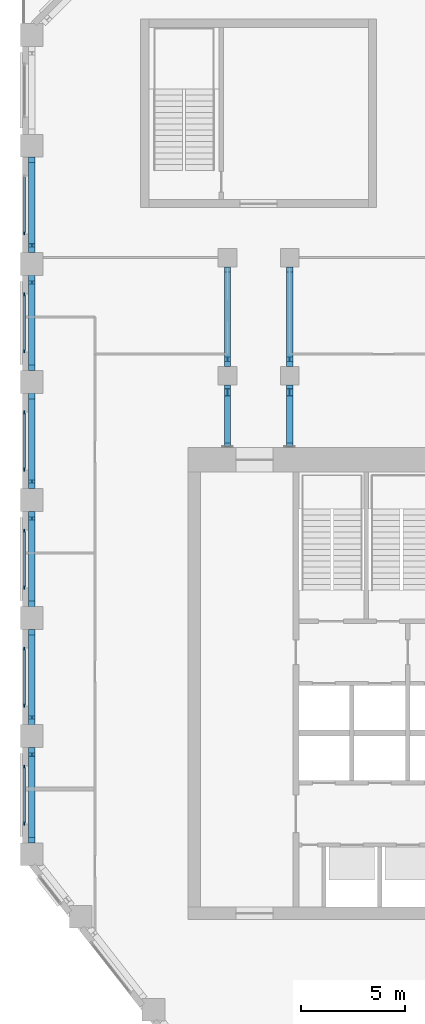
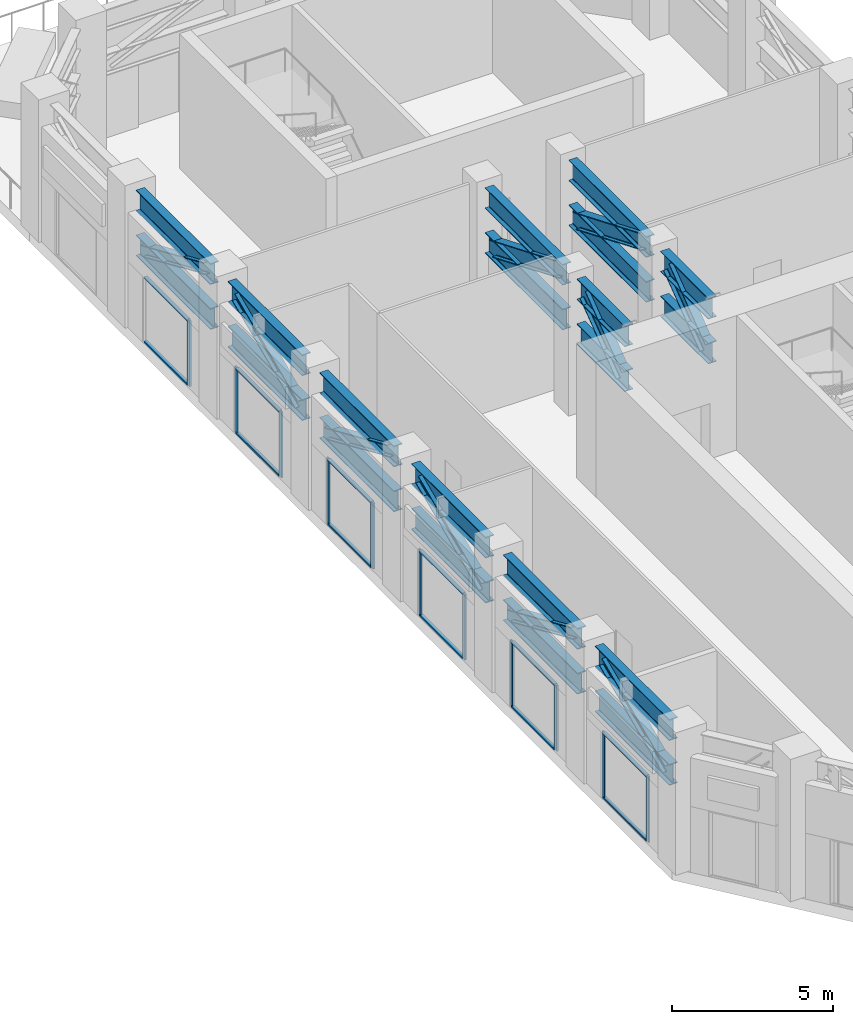
# One storey, part 6 of 21: 33 members, 20 beams, 6 elements without a shape of their own.
"""IFC4 building model written with IfcOpenShell, lengths in metres."""

from ifc_helpers import new_model, si_unit, direction, frame, origin, origin_2d, place, context, subcontext, project, spatial, rectangle, i_section, extrude, material, material_profile, profile_set, type_object, element, aggregate, save


model = new_model("IFC4")

# Units and contexts
model_context = context("Model", 3, precision=1e-05, world=origin(), true_north=direction((0.0, 1.0)))
body_context = subcontext(model_context, "Body", "Model", "MODEL_VIEW")
ifc_project = project(units=[si_unit("LENGTHUNIT", "METRE"), si_unit("AREAUNIT", "SQUARE_METRE"), si_unit("VOLUMEUNIT", "CUBIC_METRE"), si_unit("PLANEANGLEUNIT", "RADIAN"), si_unit("MASSUNIT", "GRAM", prefix="KILO")], contexts=[model_context])

# Site, building, storey
site_placement = place(None, origin())
site = spatial("IfcSite", under=ifc_project, at=site_placement, CompositionType="ELEMENT")
building_placement = place(site_placement, origin())
building = spatial("IfcBuilding", under=site, at=building_placement, Name="Meshkara Civic Tower", CompositionType="ELEMENT")
storey_placement = place(building_placement, frame((0.0, 0.0, 284.39990234375)))
storey = spatial("IfcBuildingStorey", under=building, at=storey_placement, Name="L65", CompositionType="ELEMENT", Elevation=284.39990234375)

# Beams
ifc_material_1 = material(Name="Steel S355", Category="steel")
ifc_material_profile_1 = material_profile(ifc_material_1, i_section(OverallWidth=0.300048828125, OverallDepth=0.800048828125, WebThickness=0.017578125, FlangeThickness=0.032958984375, FilletRadius=0.030029296875, at=origin_2d()))
ifc_profile_set_1 = profile_set([ifc_material_profile_1], Name="Steel S355")
beam_type_1 = type_object("IfcBeamType", Name="Belt truss chord HEB 800 S355", PredefinedType="BEAM", material=ifc_profile_set_1)
for number, where, z_axis, x_axis, name in (
    (1, (0.449951171875, 50.909912109375, 4.7001953125), (0.0, -1.0, 0.0), (1.0, 0.0, 0.0), "Belt truss chord BAW06-AW05"),
    (2, (0.449951171875, 50.909912109375, 3.0), (0.0, -1.0, 0.0), (1.0, 0.0, 0.0), "Belt truss chord BAW06-AW05"),
    (3, (0.449951171875, 45.2099609375, 4.7001953125), (0.0, -1.0, 0.0), (1.0, 0.0, 0.0), "Belt truss chord BAW05-AW04"),
    (4, (0.449951171875, 45.2099609375, 3.0), (0.0, -1.0, 0.0), (1.0, 0.0, 0.0), "Belt truss chord BAW05-AW04"),
):
    element("IfcBeam", number, at=place(storey_placement, frame(where, z_axis=z_axis, x_axis=x_axis)), inside=storey, type_object=beam_type_1, Name=name, PredefinedType="BEAM", context=body_context, shape_type="SweptSolid", body=[
        extrude(i_section(OverallWidth=0.300048828125, OverallDepth=0.800048828125, WebThickness=0.017578125, FlangeThickness=0.032958984375, FilletRadius=0.030029296875, at=origin_2d()), origin(), (0.0, 0.0, 1.0), 4.60986328125),
    ])
for number, where, z_axis, x_axis, name in (
    (5, (0.449951171875, 39.510009765625, 4.7001953125), (0.0, -1.0, 0.0), (1.0, 0.0, 0.0), "Belt truss chord BAW04-AW03"),
    (6, (0.449951171875, 39.510009765625, 3.0), (0.0, -1.0, 0.0), (1.0, 0.0, 0.0), "Belt truss chord BAW04-AW03"),
    (7, (0.449951171875, 33.81005859375, 4.7001953125), (0.0, -1.0, 0.0), (1.0, 0.0, 0.0), "Belt truss chord BAW03-AW02"),
    (8, (0.449951171875, 33.81005859375, 3.0), (0.0, -1.0, 0.0), (1.0, 0.0, 0.0), "Belt truss chord BAW03-AW02"),
    (9, (0.449951171875, 28.110107421875, 4.7001953125), (0.0, -1.0, 0.0), (1.0, 0.0, 0.0), "Belt truss chord BAW02-AW01"),
    (10, (0.449951171875, 28.110107421875, 3.0), (0.0, -1.0, 0.0), (1.0, 0.0, 0.0), "Belt truss chord BAW02-AW01"),
):
    element("IfcBeam", number, at=place(storey_placement, frame(where, z_axis=z_axis, x_axis=x_axis)), inside=storey, type_object=beam_type_1, Name=name, PredefinedType="BEAM", context=body_context, shape_type="SweptSolid", body=[
        extrude(i_section(OverallWidth=0.300048828125, OverallDepth=0.800048828125, WebThickness=0.017578125, FlangeThickness=0.032958984375, FilletRadius=0.030029296875, at=origin_2d()), origin(), (0.0, 0.0, 1.0), 4.610107421875),
    ])
for number, where, z_axis, x_axis, name in (
    (11, (0.449951171875, 22.409912109375, 4.7001953125), (0.0, -1.0, 0.0), (1.0, 0.0, 0.0), "Belt truss chord BAW01-AW00"),
    (12, (0.449951171875, 22.409912109375, 3.0), (0.0, -1.0, 0.0), (1.0, 0.0, 0.0), "Belt truss chord BAW01-AW00"),
):
    element("IfcBeam", number, at=place(storey_placement, frame(where, z_axis=z_axis, x_axis=x_axis)), inside=storey, type_object=beam_type_1, Name=name, PredefinedType="BEAM", context=body_context, shape_type="SweptSolid", body=[
        extrude(i_section(OverallWidth=0.300048828125, OverallDepth=0.800048828125, WebThickness=0.017578125, FlangeThickness=0.032958984375, FilletRadius=0.030029296875, at=origin_2d()), origin(), (0.0, 0.0, 1.0), 4.60986328125),
    ])

# Curtain wall, member
ifc_material_2 = material(Name="Tinted double glazing", Category="glass")
curtain_wall_type = type_object("IfcCurtainWallType", Name="CW SKY LOBBY BAND", PredefinedType="NOTDEFINED", material=ifc_material_2)
curtain_wall_1_placement = place(storey_placement, origin())
curtain_wall_1 = element("IfcCurtainWall", 13, at=curtain_wall_1_placement, inside=storey, type_object=curtain_wall_type, Name="Curtain wall CW2", PredefinedType="NOTDEFINED")
ifc_material_3 = material(Name="Bronze anodised aluminium", Category="aluminium")
ifc_material_profile_2 = material_profile(ifc_material_3, rectangle(XDim=0.06005859375, YDim=0.159912109375, at=origin_2d()))
ifc_profile_set_2 = profile_set([ifc_material_profile_2], Name="Bronze anodised aluminium")
member_type_1 = type_object("IfcMemberType", Name="CW MULLION 60x160", PredefinedType="MULLION", material=ifc_profile_set_2)
member_1_placement = place(storey_placement, frame((0.080078125, 47.236083984375, 0.0), z_axis=(0.0, 0.0, 1.0), x_axis=(1.0, 0.0, 0.0)))
member_1 = element("IfcMember", 14, at=member_1_placement, type_object=member_type_1, Name="CW2 mullion 2", PredefinedType="MULLION", context=body_context, shape_type="SweptSolid", body=[
    extrude(rectangle(XDim=0.06005859375, YDim=0.159912109375, at=origin_2d()), origin(), (0.0, 0.0, 1.0), 2.5),
])

# Curtain wall, members
curtain_wall_2_placement = place(storey_placement, origin())
curtain_wall_2 = element("IfcCurtainWall", 15, at=curtain_wall_2_placement, inside=storey, type_object=curtain_wall_type, Name="Curtain wall CW2", PredefinedType="NOTDEFINED")
member_2_placement = place(storey_placement, frame((0.080078125, 44.27490234375, 0.0), z_axis=(0.0, 0.0, 1.0), x_axis=(1.0, 0.0, 0.0)))
member_2 = element("IfcMember", 16, at=member_2_placement, type_object=member_type_1, Name="CW2 mullion 1", PredefinedType="MULLION", context=body_context, shape_type="SweptSolid", body=[
    extrude(rectangle(XDim=0.06005859375, YDim=0.159912109375, at=origin_2d()), origin(), (0.0, 0.0, 1.0), 2.5),
])
member_3_placement = place(storey_placement, frame((0.080078125, 41.534912109375, 0.0), z_axis=(0.0, 0.0, 1.0), x_axis=(1.0, 0.0, 0.0)))
member_3 = element("IfcMember", 17, at=member_3_placement, type_object=member_type_1, Name="CW2 mullion 2", PredefinedType="MULLION", context=body_context, shape_type="SweptSolid", body=[
    extrude(rectangle(XDim=0.06005859375, YDim=0.159912109375, at=origin_2d()), origin(), (0.0, 0.0, 1.0), 2.5),
])

curtain_wall_3_placement = place(storey_placement, origin())
curtain_wall_3 = element("IfcCurtainWall", 18, at=curtain_wall_3_placement, inside=storey, type_object=curtain_wall_type, Name="Curtain wall CW2", PredefinedType="NOTDEFINED")
member_4_placement = place(storey_placement, frame((0.080078125, 38.574951171875, 0.0), z_axis=(0.0, 0.0, 1.0), x_axis=(1.0, 0.0, 0.0)))
member_4 = element("IfcMember", 19, at=member_4_placement, type_object=member_type_1, Name="CW2 mullion 1", PredefinedType="MULLION", context=body_context, shape_type="SweptSolid", body=[
    extrude(rectangle(XDim=0.06005859375, YDim=0.159912109375, at=origin_2d()), origin(), (0.0, 0.0, 1.0), 2.5),
])
member_5_placement = place(storey_placement, frame((0.080078125, 35.8349609375, 0.0), z_axis=(0.0, 0.0, 1.0), x_axis=(1.0, 0.0, 0.0)))
member_5 = element("IfcMember", 20, at=member_5_placement, type_object=member_type_1, Name="CW2 mullion 2", PredefinedType="MULLION", context=body_context, shape_type="SweptSolid", body=[
    extrude(rectangle(XDim=0.06005859375, YDim=0.159912109375, at=origin_2d()), origin(), (0.0, 0.0, 1.0), 2.5),
])

curtain_wall_4_placement = place(storey_placement, origin())
curtain_wall_4 = element("IfcCurtainWall", 21, at=curtain_wall_4_placement, inside=storey, type_object=curtain_wall_type, Name="Curtain wall CW2", PredefinedType="NOTDEFINED")
member_6_placement = place(storey_placement, frame((0.080078125, 32.8740234375, 0.0), z_axis=(0.0, 0.0, 1.0), x_axis=(1.0, 0.0, 0.0)))
member_6 = element("IfcMember", 22, at=member_6_placement, type_object=member_type_1, Name="CW2 mullion 1", PredefinedType="MULLION", context=body_context, shape_type="SweptSolid", body=[
    extrude(rectangle(XDim=0.06005859375, YDim=0.159912109375, at=origin_2d()), origin(), (0.0, 0.0, 1.0), 2.5),
])
member_7_placement = place(storey_placement, frame((0.080078125, 30.135009765625, 0.0), z_axis=(0.0, 0.0, 1.0), x_axis=(1.0, 0.0, 0.0)))
member_7 = element("IfcMember", 23, at=member_7_placement, type_object=member_type_1, Name="CW2 mullion 2", PredefinedType="MULLION", context=body_context, shape_type="SweptSolid", body=[
    extrude(rectangle(XDim=0.06005859375, YDim=0.159912109375, at=origin_2d()), origin(), (0.0, 0.0, 1.0), 2.5),
])

curtain_wall_5_placement = place(storey_placement, origin())
curtain_wall_5 = element("IfcCurtainWall", 24, at=curtain_wall_5_placement, inside=storey, type_object=curtain_wall_type, Name="Curtain wall CW2", PredefinedType="NOTDEFINED")
member_8_placement = place(storey_placement, frame((0.080078125, 27.175048828125, 0.0), z_axis=(0.0, 0.0, 1.0), x_axis=(1.0, 0.0, 0.0)))
member_8 = element("IfcMember", 25, at=member_8_placement, type_object=member_type_1, Name="CW2 mullion 1", PredefinedType="MULLION", context=body_context, shape_type="SweptSolid", body=[
    extrude(rectangle(XDim=0.06005859375, YDim=0.159912109375, at=origin_2d()), origin(), (0.0, 0.0, 1.0), 2.5),
])
member_9_placement = place(storey_placement, frame((0.080078125, 24.43505859375, 0.0), z_axis=(0.0, 0.0, 1.0), x_axis=(1.0, 0.0, 0.0)))
member_9 = element("IfcMember", 26, at=member_9_placement, type_object=member_type_1, Name="CW2 mullion 2", PredefinedType="MULLION", context=body_context, shape_type="SweptSolid", body=[
    extrude(rectangle(XDim=0.06005859375, YDim=0.159912109375, at=origin_2d()), origin(), (0.0, 0.0, 1.0), 2.5),
])

curtain_wall_6_placement = place(storey_placement, origin())
curtain_wall_6 = element("IfcCurtainWall", 27, at=curtain_wall_6_placement, inside=storey, type_object=curtain_wall_type, Name="Curtain wall CW2", PredefinedType="NOTDEFINED")
member_10_placement = place(storey_placement, frame((0.080078125, 21.47509765625, 0.0), z_axis=(0.0, 0.0, 1.0), x_axis=(1.0, 0.0, 0.0)))
member_10 = element("IfcMember", 28, at=member_10_placement, type_object=member_type_1, Name="CW2 mullion 1", PredefinedType="MULLION", context=body_context, shape_type="SweptSolid", body=[
    extrude(rectangle(XDim=0.06005859375, YDim=0.159912109375, at=origin_2d()), origin(), (0.0, 0.0, 1.0), 2.5),
])
member_11_placement = place(storey_placement, frame((0.080078125, 18.735107421875, 0.0), z_axis=(0.0, 0.0, 1.0), x_axis=(1.0, 0.0, 0.0)))
member_11 = element("IfcMember", 29, at=member_11_placement, type_object=member_type_1, Name="CW2 mullion 2", PredefinedType="MULLION", context=body_context, shape_type="SweptSolid", body=[
    extrude(rectangle(XDim=0.06005859375, YDim=0.159912109375, at=origin_2d()), origin(), (0.0, 0.0, 1.0), 2.5),
])

# Member
ifc_material_4 = material(Name="Bronze anodised aluminium", Category="aluminium")
ifc_material_profile_3 = material_profile(ifc_material_4, rectangle(XDim=0.1201171875, YDim=0.06005859375, at=origin_2d()))
ifc_profile_set_3 = profile_set([ifc_material_profile_3], Name="Bronze anodised aluminium")
member_type_2 = type_object("IfcMemberType", Name="CW TRANSOM 60x120", PredefinedType="USERDEFINED", material=ifc_profile_set_3)
member_12_placement = place(storey_placement, frame((0.080078125, 49.945068359375, 0.030029296875), z_axis=(0.0, -1.0, 0.0), x_axis=(1.0, 0.0, 0.0)))
member_12 = element("IfcMember", 30, at=member_12_placement, type_object=member_type_2, Name="CW2 transom 1.1", ObjectType="TRANSOM", PredefinedType="USERDEFINED", context=body_context, shape_type="SweptSolid", body=[
    extrude(rectangle(XDim=0.1201171875, YDim=0.06005859375, at=origin_2d()), origin(), (0.0, 0.0, 1.0), 2.678955078125),
])

member_13_placement = place(storey_placement, frame((0.080078125, 49.945068359375, 2.47021484375), z_axis=(0.0, -1.0, 0.0), x_axis=(1.0, 0.0, 0.0)))
member_13 = element("IfcMember", 31, at=member_13_placement, type_object=member_type_2, Name="CW2 transom 1.2", ObjectType="TRANSOM", PredefinedType="USERDEFINED", context=body_context, shape_type="SweptSolid", body=[
    extrude(rectangle(XDim=0.1201171875, YDim=0.06005859375, at=origin_2d()), origin(), (0.0, 0.0, 1.0), 2.678955078125),
])

aggregate(curtain_wall_1, [member_1, member_12, member_13])

member_14_placement = place(storey_placement, frame((0.080078125, 44.2451171875, 0.030029296875), z_axis=(0.0, -1.0, 0.0), x_axis=(1.0, 0.0, 0.0)))
member_14 = element("IfcMember", 32, at=member_14_placement, type_object=member_type_2, Name="CW2 transom 1.1", ObjectType="TRANSOM", PredefinedType="USERDEFINED", context=body_context, shape_type="SweptSolid", body=[
    extrude(rectangle(XDim=0.1201171875, YDim=0.06005859375, at=origin_2d()), origin(), (0.0, 0.0, 1.0), 2.68017578125),
])

member_15_placement = place(storey_placement, frame((0.080078125, 44.2451171875, 2.47021484375), z_axis=(0.0, -1.0, 0.0), x_axis=(1.0, 0.0, 0.0)))
member_15 = element("IfcMember", 33, at=member_15_placement, type_object=member_type_2, Name="CW2 transom 1.2", ObjectType="TRANSOM", PredefinedType="USERDEFINED", context=body_context, shape_type="SweptSolid", body=[
    extrude(rectangle(XDim=0.1201171875, YDim=0.06005859375, at=origin_2d()), origin(), (0.0, 0.0, 1.0), 2.68017578125),
])

aggregate(curtain_wall_2, [member_2, member_3, member_14, member_15])

member_16_placement = place(storey_placement, frame((0.080078125, 38.544921875, 0.030029296875), z_axis=(0.0, -1.0, 0.0), x_axis=(1.0, 0.0, 0.0)))
member_16 = element("IfcMember", 34, at=member_16_placement, type_object=member_type_2, Name="CW2 transom 1.1", ObjectType="TRANSOM", PredefinedType="USERDEFINED", context=body_context, shape_type="SweptSolid", body=[
    extrude(rectangle(XDim=0.1201171875, YDim=0.06005859375, at=origin_2d()), origin(), (0.0, 0.0, 1.0), 2.679931640625),
])

member_17_placement = place(storey_placement, frame((0.080078125, 38.544921875, 2.47021484375), z_axis=(0.0, -1.0, 0.0), x_axis=(1.0, 0.0, 0.0)))
member_17 = element("IfcMember", 35, at=member_17_placement, type_object=member_type_2, Name="CW2 transom 1.2", ObjectType="TRANSOM", PredefinedType="USERDEFINED", context=body_context, shape_type="SweptSolid", body=[
    extrude(rectangle(XDim=0.1201171875, YDim=0.06005859375, at=origin_2d()), origin(), (0.0, 0.0, 1.0), 2.679931640625),
])

aggregate(curtain_wall_3, [member_4, member_5, member_16, member_17])

member_18_placement = place(storey_placement, frame((0.080078125, 32.843994140625, 0.030029296875), z_axis=(0.0, -1.0, 0.0), x_axis=(1.0, 0.0, 0.0)))
member_18 = element("IfcMember", 36, at=member_18_placement, type_object=member_type_2, Name="CW2 transom 1.1", ObjectType="TRANSOM", PredefinedType="USERDEFINED", context=body_context, shape_type="SweptSolid", body=[
    extrude(rectangle(XDim=0.1201171875, YDim=0.06005859375, at=origin_2d()), origin(), (0.0, 0.0, 1.0), 2.678955078125),
])

member_19_placement = place(storey_placement, frame((0.080078125, 32.843994140625, 2.47021484375), z_axis=(0.0, -1.0, 0.0), x_axis=(1.0, 0.0, 0.0)))
member_19 = element("IfcMember", 37, at=member_19_placement, type_object=member_type_2, Name="CW2 transom 1.2", ObjectType="TRANSOM", PredefinedType="USERDEFINED", context=body_context, shape_type="SweptSolid", body=[
    extrude(rectangle(XDim=0.1201171875, YDim=0.06005859375, at=origin_2d()), origin(), (0.0, 0.0, 1.0), 2.678955078125),
])

aggregate(curtain_wall_4, [member_6, member_7, member_18, member_19])

member_20_placement = place(storey_placement, frame((0.080078125, 27.14501953125, 0.030029296875), z_axis=(0.0, -1.0, 0.0), x_axis=(1.0, 0.0, 0.0)))
member_20 = element("IfcMember", 38, at=member_20_placement, type_object=member_type_2, Name="CW2 transom 1.1", ObjectType="TRANSOM", PredefinedType="USERDEFINED", context=body_context, shape_type="SweptSolid", body=[
    extrude(rectangle(XDim=0.1201171875, YDim=0.06005859375, at=origin_2d()), origin(), (0.0, 0.0, 1.0), 2.679931640625),
])

member_21_placement = place(storey_placement, frame((0.080078125, 27.14501953125, 2.47021484375), z_axis=(0.0, -1.0, 0.0), x_axis=(1.0, 0.0, 0.0)))
member_21 = element("IfcMember", 39, at=member_21_placement, type_object=member_type_2, Name="CW2 transom 1.2", ObjectType="TRANSOM", PredefinedType="USERDEFINED", context=body_context, shape_type="SweptSolid", body=[
    extrude(rectangle(XDim=0.1201171875, YDim=0.06005859375, at=origin_2d()), origin(), (0.0, 0.0, 1.0), 2.679931640625),
])

aggregate(curtain_wall_5, [member_8, member_9, member_20, member_21])

member_22_placement = place(storey_placement, frame((0.080078125, 21.445068359375, 0.030029296875), z_axis=(0.0, -1.0, 0.0), x_axis=(1.0, 0.0, 0.0)))
member_22 = element("IfcMember", 40, at=member_22_placement, type_object=member_type_2, Name="CW2 transom 1.1", ObjectType="TRANSOM", PredefinedType="USERDEFINED", context=body_context, shape_type="SweptSolid", body=[
    extrude(rectangle(XDim=0.1201171875, YDim=0.06005859375, at=origin_2d()), origin(), (0.0, 0.0, 1.0), 2.68017578125),
])

member_23_placement = place(storey_placement, frame((0.080078125, 21.445068359375, 2.47021484375), z_axis=(0.0, -1.0, 0.0), x_axis=(1.0, 0.0, 0.0)))
member_23 = element("IfcMember", 41, at=member_23_placement, type_object=member_type_2, Name="CW2 transom 1.2", ObjectType="TRANSOM", PredefinedType="USERDEFINED", context=body_context, shape_type="SweptSolid", body=[
    extrude(rectangle(XDim=0.1201171875, YDim=0.06005859375, at=origin_2d()), origin(), (0.0, 0.0, 1.0), 2.68017578125),
])

aggregate(curtain_wall_6, [member_10, member_11, member_22, member_23])

# Beams
ifc_material_5 = material(Name="Steel S355", Category="steel")
ifc_material_profile_4 = material_profile(ifc_material_5, i_section(OverallWidth=0.300048828125, OverallDepth=0.7900390625, WebThickness=0.014892578125, FlangeThickness=0.028076171875, FilletRadius=0.030029296875, at=origin_2d()))
ifc_profile_set_4 = profile_set([ifc_material_profile_4], Name="Steel S355")
beam_type_2 = type_object("IfcBeamType", Name="Outrigger chord HEA 800 S355", PredefinedType="BEAM", material=ifc_profile_set_4)
for number, where, z_axis, x_axis, name in (
    (42, (9.89990234375, 36.93994140625, 4.705078125), (0.0, 1.0, 0.0), (-1.0, 0.0, 0.0), "Outrigger chord OSA1-CORE-SA1-04"),
    (43, (9.89990234375, 36.93994140625, 3.005126953125), (0.0, 1.0, 0.0), (-1.0, 0.0, 0.0), "Outrigger chord OSA1-CORE-SA1-04"),
):
    element("IfcBeam", number, at=place(storey_placement, frame(where, z_axis=z_axis, x_axis=x_axis)), inside=storey, type_object=beam_type_2, Name=name, PredefinedType="BEAM", context=body_context, shape_type="SweptSolid", body=[
        extrude(i_section(OverallWidth=0.300048828125, OverallDepth=0.7900390625, WebThickness=0.014892578125, FlangeThickness=0.028076171875, FilletRadius=0.030029296875, at=origin_2d()), origin(), (0.0, 0.0, 1.0), 2.965087890625),
    ])
for number, where, z_axis, x_axis, name in (
    (44, (9.89990234375, 40.794921875, 4.705078125), (0.0, 1.0, 0.0), (-1.0, 0.0, 0.0), "Outrigger chord OSA1-SA1-04-SA1-05"),
    (45, (9.89990234375, 40.794921875, 3.005126953125), (0.0, 1.0, 0.0), (-1.0, 0.0, 0.0), "Outrigger chord OSA1-SA1-04-SA1-05"),
):
    element("IfcBeam", number, at=place(storey_placement, frame(where, z_axis=z_axis, x_axis=x_axis)), inside=storey, type_object=beam_type_2, Name=name, PredefinedType="BEAM", context=body_context, shape_type="SweptSolid", body=[
        extrude(i_section(OverallWidth=0.300048828125, OverallDepth=0.7900390625, WebThickness=0.014892578125, FlangeThickness=0.028076171875, FilletRadius=0.030029296875, at=origin_2d()), origin(), (0.0, 0.0, 1.0), 4.81005859375),
    ])
for number, where, z_axis, x_axis, name in (
    (46, (12.89990234375, 36.93994140625, 4.705078125), (0.0, 1.0, 0.0), (-1.0, 0.0, 0.0), "Outrigger chord OSA2-CORE-SA2-04"),
    (47, (12.89990234375, 36.93994140625, 3.005126953125), (0.0, 1.0, 0.0), (-1.0, 0.0, 0.0), "Outrigger chord OSA2-CORE-SA2-04"),
):
    element("IfcBeam", number, at=place(storey_placement, frame(where, z_axis=z_axis, x_axis=x_axis)), inside=storey, type_object=beam_type_2, Name=name, PredefinedType="BEAM", context=body_context, shape_type="SweptSolid", body=[
        extrude(i_section(OverallWidth=0.300048828125, OverallDepth=0.7900390625, WebThickness=0.014892578125, FlangeThickness=0.028076171875, FilletRadius=0.030029296875, at=origin_2d()), origin(), (0.0, 0.0, 1.0), 2.965087890625),
    ])
for number, where, z_axis, x_axis, name in (
    (48, (12.89990234375, 40.794921875, 4.705078125), (0.0, 1.0, 0.0), (-1.0, 0.0, 0.0), "Outrigger chord OSA2-SA2-04-SA2-05"),
    (49, (12.89990234375, 40.794921875, 3.005126953125), (0.0, 1.0, 0.0), (-1.0, 0.0, 0.0), "Outrigger chord OSA2-SA2-04-SA2-05"),
):
    element("IfcBeam", number, at=place(storey_placement, frame(where, z_axis=z_axis, x_axis=x_axis)), inside=storey, type_object=beam_type_2, Name=name, PredefinedType="BEAM", context=body_context, shape_type="SweptSolid", body=[
        extrude(i_section(OverallWidth=0.300048828125, OverallDepth=0.7900390625, WebThickness=0.014892578125, FlangeThickness=0.028076171875, FilletRadius=0.030029296875, at=origin_2d()), origin(), (0.0, 0.0, 1.0), 4.81005859375),
    ])

# Members
ifc_material_6 = material(Name="Steel S355", Category="steel")
ifc_material_profile_5 = material_profile(ifc_material_6, i_section(OverallWidth=0.300048828125, OverallDepth=0.590087890625, WebThickness=0.012939453125, FlangeThickness=0.02490234375, FilletRadius=0.027099609375, at=origin_2d()))
ifc_profile_set_5 = profile_set([ifc_material_profile_5], Name="Steel S355")
member_type_3 = type_object("IfcMemberType", Name="Truss diagonal HEA 600 S355", PredefinedType="BRACE", material=ifc_profile_set_5)
member_24_placement = place(storey_placement, frame((9.89990234375, 37.2900390625, 3.005126953125), z_axis=(0.0, 0.799782694955, 0.600289630804), x_axis=(-1.0, 0.0, 0.0)))
element("IfcMember", 50, at=member_24_placement, inside=storey, type_object=member_type_3, Name="TD-OSA1-CORE-SA1-04-L65", PredefinedType="BRACE", context=body_context, shape_type="SweptSolid", body=[
    extrude(i_section(OverallWidth=0.300048828125, OverallDepth=0.590087890625, WebThickness=0.012939453125, FlangeThickness=0.02490234375, FilletRadius=0.027099609375, at=origin_2d()), origin(), (0.0, 0.0, 1.0), 2.831787109375),
])
member_25_placement = place(storey_placement, frame((9.89990234375, 41.14501953125, 4.705078125), z_axis=(0.0, 0.924070991803, -0.382220881307), x_axis=(-1.0, 0.0, 0.0)))
element("IfcMember", 51, at=member_25_placement, inside=storey, type_object=member_type_3, Name="TD-OSA1-SA1-04-SA1-05-L65", PredefinedType="BRACE", context=body_context, shape_type="SweptSolid", body=[
    extrude(i_section(OverallWidth=0.300048828125, OverallDepth=0.590087890625, WebThickness=0.012939453125, FlangeThickness=0.02490234375, FilletRadius=0.027099609375, at=origin_2d()), origin(), (0.0, 0.0, 1.0), 4.447509765625),
])
member_26_placement = place(storey_placement, frame((12.89990234375, 37.2900390625, 3.005126953125), z_axis=(0.0, 0.799782694955, 0.600289630804), x_axis=(-1.0, 0.0, 0.0)))
element("IfcMember", 52, at=member_26_placement, inside=storey, type_object=member_type_3, Name="TD-OSA2-CORE-SA2-04-L65", PredefinedType="BRACE", context=body_context, shape_type="SweptSolid", body=[
    extrude(i_section(OverallWidth=0.300048828125, OverallDepth=0.590087890625, WebThickness=0.012939453125, FlangeThickness=0.02490234375, FilletRadius=0.027099609375, at=origin_2d()), origin(), (0.0, 0.0, 1.0), 2.831787109375),
])
member_27_placement = place(storey_placement, frame((12.89990234375, 41.14501953125, 4.705078125), z_axis=(0.0, 0.924070991803, -0.382220881307), x_axis=(-1.0, 0.0, 0.0)))
element("IfcMember", 53, at=member_27_placement, inside=storey, type_object=member_type_3, Name="TD-OSA2-SA2-04-SA2-05-L65", PredefinedType="BRACE", context=body_context, shape_type="SweptSolid", body=[
    extrude(i_section(OverallWidth=0.300048828125, OverallDepth=0.590087890625, WebThickness=0.012939453125, FlangeThickness=0.02490234375, FilletRadius=0.027099609375, at=origin_2d()), origin(), (0.0, 0.0, 1.0), 4.447509765625),
])
ifc_material_7 = material(Name="Steel S355", Category="steel")
ifc_material_profile_6 = material_profile(ifc_material_7, i_section(OverallWidth=0.300048828125, OverallDepth=0.39990234375, WebThickness=0.013427734375, FlangeThickness=0.02392578125, FilletRadius=0.027099609375, at=origin_2d()))
ifc_profile_set_6 = profile_set([ifc_material_profile_6], Name="Steel S355")
member_type_4 = type_object("IfcMemberType", Name="Truss diagonal HEB 400 S355", PredefinedType="BRACE", material=ifc_profile_set_6)
for number, where, z_axis, x_axis, name in (
    (54, (0.449951171875, 50.56005859375, 3.0), (0.0, -0.917059132106, 0.398751236013), (1.0, 0.0, 0.0), "TD-BAW06-AW05-L65"),
    (55, (0.449951171875, 44.860107421875, 4.7001953125), (0.0, -0.917059132106, -0.398751236013), (1.0, 0.0, 0.0), "TD-BAW05-AW04-L65"),
):
    element("IfcMember", number, at=place(storey_placement, frame(where, z_axis=z_axis, x_axis=x_axis)), inside=storey, type_object=member_type_4, Name=name, PredefinedType="BRACE", context=body_context, shape_type="SweptSolid", body=[
        extrude(i_section(OverallWidth=0.300048828125, OverallDepth=0.39990234375, WebThickness=0.013427734375, FlangeThickness=0.02392578125, FilletRadius=0.027099609375, at=origin_2d()), origin(), (0.0, 0.0, 1.0), 4.263916015625),
    ])
for number, where, z_axis, x_axis, name in (
    (56, (0.449951171875, 39.159912109375, 3.0), (0.0, -0.917050027072, 0.398772175368), (1.0, 0.0, 0.0), "TD-BAW04-AW03-L65"),
    (57, (0.449951171875, 33.4599609375, 4.7001953125), (0.0, -0.917050027072, -0.398772175368), (1.0, 0.0, 0.0), "TD-BAW03-AW02-L65"),
    (58, (0.449951171875, 27.760009765625, 3.0), (0.0, -0.917050027072, 0.398772175368), (1.0, 0.0, 0.0), "TD-BAW02-AW01-L65"),
):
    element("IfcMember", number, at=place(storey_placement, frame(where, z_axis=z_axis, x_axis=x_axis)), inside=storey, type_object=member_type_4, Name=name, PredefinedType="BRACE", context=body_context, shape_type="SweptSolid", body=[
        extrude(i_section(OverallWidth=0.300048828125, OverallDepth=0.39990234375, WebThickness=0.013427734375, FlangeThickness=0.02392578125, FilletRadius=0.027099609375, at=origin_2d()), origin(), (0.0, 0.0, 1.0), 4.263671875),
    ])
member_28_placement = place(storey_placement, frame((0.449951171875, 22.06005859375, 4.7001953125), z_axis=(0.0, -0.917059132106, -0.398751236013), x_axis=(1.0, 0.0, 0.0)))
element("IfcMember", 59, at=member_28_placement, inside=storey, type_object=member_type_4, Name="TD-BAW01-AW00-L65", PredefinedType="BRACE", context=body_context, shape_type="SweptSolid", body=[
    extrude(i_section(OverallWidth=0.300048828125, OverallDepth=0.39990234375, WebThickness=0.013427734375, FlangeThickness=0.02392578125, FilletRadius=0.027099609375, at=origin_2d()), origin(), (0.0, 0.0, 1.0), 4.263916015625),
])

save(model, "model.ifc")
